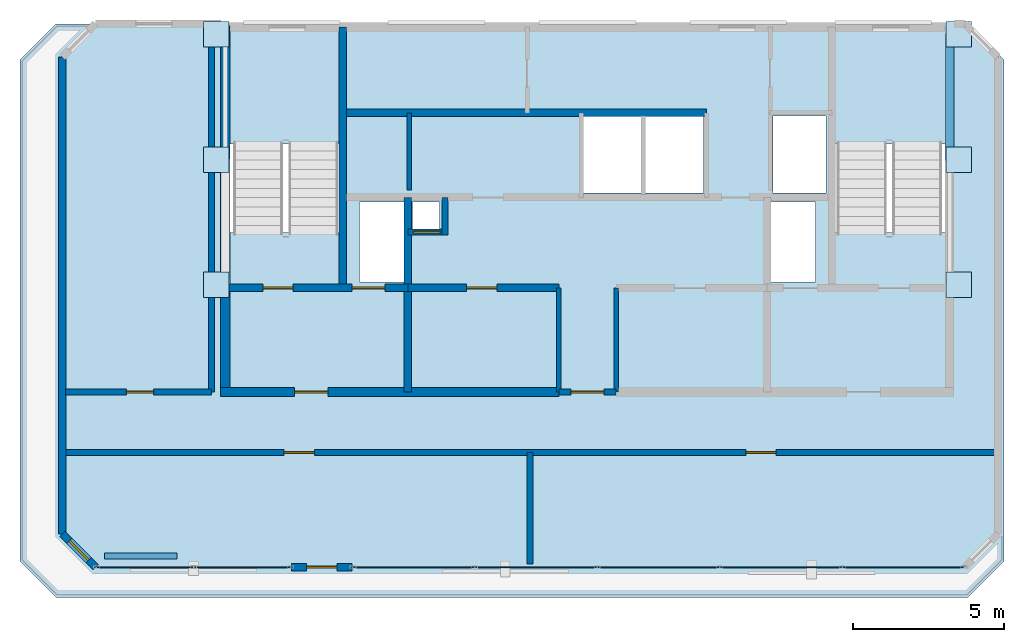
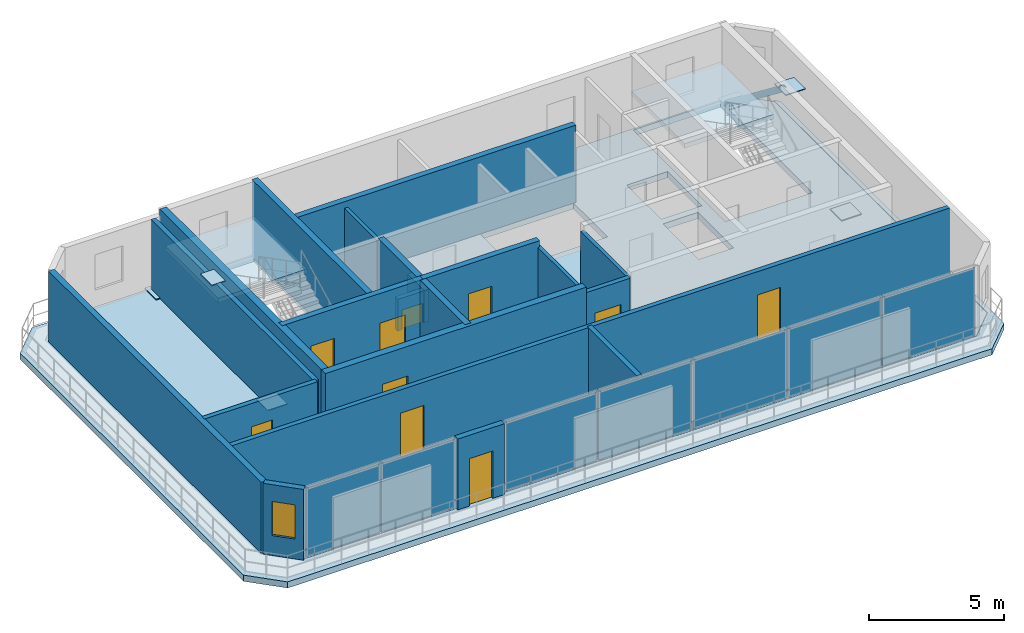
# One storey, part 4 of 6: 21 walls, 13 plates, 10 doors, 4 slabs, 1 member, 1 window, 11 openings, 4 elements without a shape of their own.
"""IFC4 building model written with IfcOpenShell, lengths in metres."""

from ifc_helpers import new_model, si_unit, direction, frame, frame_2d, origin, origin_2d, place, context, subcontext, project, spatial, polyline, rectangle, hollow_circle, outline, extrude, material, layer, layer_set, material_profile, profile_set, type_object, element, fill, aggregate, save


model = new_model("IFC4")

# Units and contexts
model_context = context("Model", 3, precision=1e-05, world=origin(), true_north=direction((0.0, 1.0)))
body_context = subcontext(model_context, "Body", "Model", "MODEL_VIEW")
ifc_project = project(units=[si_unit("LENGTHUNIT", "METRE"), si_unit("AREAUNIT", "SQUARE_METRE"), si_unit("VOLUMEUNIT", "CUBIC_METRE"), si_unit("PLANEANGLEUNIT", "RADIAN"), si_unit("MASSUNIT", "GRAM", prefix="KILO")], contexts=[model_context])

# Site, building, storey
site_placement = place(None, origin())
site = spatial("IfcSite", under=ifc_project, at=site_placement, CompositionType="ELEMENT")
building_placement = place(site_placement, origin())
building = spatial("IfcBuilding", under=site, at=building_placement, Name="Catumbela Crestline Tower", CompositionType="ELEMENT")
storey_placement = place(building_placement, frame((0.0, 0.0, 301.0)))
storey = spatial("IfcBuildingStorey", under=building, at=storey_placement, Name="L77", CompositionType="ELEMENT", Elevation=301.0)

# Member
ifc_material_1 = material(Name="Structural steel S355J2", Category="steel")
ifc_material_profile = material_profile(ifc_material_1, hollow_circle(Radius=0.1365, WallThickness=0.016, at=origin_2d()), Name="CHS 273x16")
ifc_profile_set = profile_set([ifc_material_profile], Name="Structural steel S355J2")
member_type = type_object("IfcMemberType", Name="CB-273", PredefinedType="BRACE", material=ifc_profile_set)
member_placement = place(storey_placement, frame((40.0, 38.5, 3.21), z_axis=(0.0, 0.791914074685, -0.610632539516), x_axis=(-1.0, 0.0, 0.0)))
element("IfcMember", 1, at=member_placement, inside=storey, type_object=member_type, Name="L77 Crown Wind Frame Brace 4", PredefinedType="BRACE", context=body_context, shape_type="SweptSolid", body=[
    extrude(hollow_circle(Radius=0.1365, WallThickness=0.016, at=origin_2d()), origin(), (0.0, 0.0, 1.0), 5.2405),
])

# Plates
ifc_material_2 = material(Name="Structural steel S460M", Category="steel")
ifc_layer_1 = layer(ifc_material_2, 0.04, Name="Structural steel S460M")
ifc_layer_set_1 = layer_set([ifc_layer_1], Name="Structural steel S460M")
plate_type_1 = type_object("IfcPlateType", Name="GP-40", PredefinedType="USERDEFINED", material=ifc_layer_set_1)
for number, where, z_axis, x_axis, name in (
    (2, (15.7, 34.35, 0.01), (0.0, 0.0, 1.0), (1.0, 0.0, 0.0), "L77 Crown Wind Frame Gusset Plate 1A"),
    (3, (15.7, 38.5, 3.17), (0.0, 0.0, 1.0), (1.0, 0.0, 0.0), "L77 Crown Wind Frame Gusset Plate 1B"),
    (4, (15.7, 42.65, 0.01), (0.0, 0.0, 1.0), (1.0, 0.0, 0.0), "L77 Crown Wind Frame Gusset Plate 2B"),
    (5, (40.3, 34.35, 0.01), (0.0, 0.0, 1.0), (1.0, 0.0, 0.0), "L77 Crown Wind Frame Gusset Plate 3A"),
    (6, (40.3, 38.5, 3.17), (0.0, 0.0, 1.0), (1.0, 0.0, 0.0), "L77 Crown Wind Frame Gusset Plate 3B"),
    (7, (40.3, 42.65, 0.01), (0.0, 0.0, 1.0), (1.0, 0.0, 0.0), "L77 Crown Wind Frame Gusset Plate 4B"),
):
    element("IfcPlate", number, at=place(storey_placement, frame(where, z_axis=z_axis, x_axis=x_axis)), inside=storey, type_object=plate_type_1, Name=name, ObjectType="GUSSET", PredefinedType="USERDEFINED", context=body_context, shape_type="SweptSolid", body=[
        extrude(rectangle(XDim=0.85, YDim=0.85, at=origin_2d()), origin(), (0.0, 0.0, 1.0), 0.04),
    ])

# Curtain wall, plates
ifc_material_3 = material(Name="Aluminium alloy AW-6060-T66", Category="aluminium")
ifc_layer_2 = layer(ifc_material_3, 0.18, Name="Aluminium alloy AW-6060-T66")
ifc_layer_set_2 = layer_set([ifc_layer_2], Name="Aluminium alloy AW-6060-T66")
curtain_wall_type = type_object("IfcCurtainWallType", Name="CWS-OBS", PredefinedType="USERDEFINED", material=ifc_layer_set_2)
curtain_wall_1_placement = place(storey_placement, origin())
curtain_wall_1 = element("IfcCurtainWall", 8, at=curtain_wall_1_placement, inside=storey, type_object=curtain_wall_type, Name="L77 Stick Curtain Wall CW-L77-E0S1", ObjectType="STICK", PredefinedType="USERDEFINED")
ifc_material_4 = material(Name="Low-E laminated solar-control double glazing", Category="glass")
ifc_layer_3 = layer(ifc_material_4, 0.036, Name="Low-E laminated solar-control double glazing")
ifc_layer_set_3 = layer_set([ifc_layer_3], Name="Low-E laminated solar-control double glazing")
plate_type_2 = type_object("IfcPlateType", Name="PNL-GLZ-OB", PredefinedType="CURTAIN_PANEL", material=ifc_layer_set_3)
plate_1_placement = place(storey_placement, frame((13.3412, 25.0, 0.06), z_axis=(0.0, 0.0, 1.0), x_axis=(1.0, 0.0, 0.0)))
plate_1 = element("IfcPlate", 9, at=plate_1_placement, type_object=plate_type_2, Name="CWS-OBS panel 1.1", PredefinedType="CURTAIN_PANEL", context=body_context, shape_type="SweptSolid", body=[
    extrude(rectangle(XDim=3.1525, YDim=0.034, at=origin_2d()), origin(), (0.0, 0.0, 1.0), 3.09),
])
plate_2_placement = place(storey_placement, frame((16.5588, 25.0, 0.06), z_axis=(0.0, 0.0, 1.0), x_axis=(1.0, 0.0, 0.0)))
plate_2 = element("IfcPlate", 10, at=plate_2_placement, type_object=plate_type_2, Name="CWS-OBS panel 2.1", PredefinedType="CURTAIN_PANEL", context=body_context, shape_type="SweptSolid", body=[
    extrude(rectangle(XDim=3.1525, YDim=0.034, at=origin_2d()), origin(), (0.0, 0.0, 1.0), 3.09),
])
aggregate(curtain_wall_1, [plate_1, plate_2])

curtain_wall_2_placement = place(storey_placement, origin())
curtain_wall_2 = element("IfcCurtainWall", 11, at=curtain_wall_2_placement, inside=storey, type_object=curtain_wall_type, Name="L77 Stick Curtain Wall CW-L77-E0S2", ObjectType="STICK", PredefinedType="USERDEFINED")
plate_3_placement = place(storey_placement, frame((22.2462, 25.0, 0.06), z_axis=(0.0, 0.0, 1.0), x_axis=(1.0, 0.0, 0.0)))
plate_3 = element("IfcPlate", 12, at=plate_3_placement, type_object=plate_type_2, Name="CWS-OBS panel 1.1", PredefinedType="CURTAIN_PANEL", context=body_context, shape_type="SweptSolid", body=[
    extrude(rectangle(XDim=3.9625, YDim=0.034, at=origin_2d()), origin(), (0.0, 0.0, 1.0), 3.09),
])
plate_4_placement = place(storey_placement, frame((26.29, 25.0, 0.06), z_axis=(0.0, 0.0, 1.0), x_axis=(1.0, 0.0, 0.0)))
plate_4 = element("IfcPlate", 13, at=plate_4_placement, type_object=plate_type_2, Name="CWS-OBS panel 2.1", PredefinedType="CURTAIN_PANEL", context=body_context, shape_type="SweptSolid", body=[
    extrude(rectangle(XDim=3.995, YDim=0.034, at=origin_2d()), origin(), (0.0, 0.0, 1.0), 3.09),
])
plate_5_placement = place(storey_placement, frame((30.35, 25.0, 0.06), z_axis=(0.0, 0.0, 1.0), x_axis=(1.0, 0.0, 0.0)))
plate_5 = element("IfcPlate", 14, at=plate_5_placement, type_object=plate_type_2, Name="CWS-OBS panel 3.1", PredefinedType="CURTAIN_PANEL", context=body_context, shape_type="SweptSolid", body=[
    extrude(rectangle(XDim=3.995, YDim=0.034, at=origin_2d()), origin(), (0.0, 0.0, 1.0), 3.09),
])
plate_6_placement = place(storey_placement, frame((34.41, 25.0, 0.06), z_axis=(0.0, 0.0, 1.0), x_axis=(1.0, 0.0, 0.0)))
plate_6 = element("IfcPlate", 15, at=plate_6_placement, type_object=plate_type_2, Name="CWS-OBS panel 4.1", PredefinedType="CURTAIN_PANEL", context=body_context, shape_type="SweptSolid", body=[
    extrude(rectangle(XDim=3.995, YDim=0.034, at=origin_2d()), origin(), (0.0, 0.0, 1.0), 3.09),
])
plate_7_placement = place(storey_placement, frame((38.4538, 25.0, 0.06), z_axis=(0.0, 0.0, 1.0), x_axis=(1.0, 0.0, 0.0)))
plate_7 = element("IfcPlate", 16, at=plate_7_placement, type_object=plate_type_2, Name="CWS-OBS panel 5.1", PredefinedType="CURTAIN_PANEL", context=body_context, shape_type="SweptSolid", body=[
    extrude(rectangle(XDim=3.9625, YDim=0.034, at=origin_2d()), origin(), (0.0, 0.0, 1.0), 3.09),
])
aggregate(curtain_wall_2, [plate_3, plate_4, plate_5, plate_6, plate_7])

# Slabs
ifc_material_5 = material(Name="Concrete C45/55", Category="concrete")
ifc_layer_4 = layer(ifc_material_5, 0.28, Name="Concrete C45/55")
ifc_layer_set_4 = layer_set([ifc_layer_4], Name="Concrete C45/55")
slab_type_1 = type_object("IfcSlabType", Name="SL-280C", PredefinedType="FLOOR", material=ifc_layer_set_4)
slab_1_placement = place(storey_placement, frame((0.0, 0.0, -0.28)))
element("IfcSlab", 17, at=slab_1_placement, inside=storey, type_object=slab_type_1, Name="L77 Structural Floor Slab", PredefinedType="FLOOR", context=body_context, shape_type="SweptSolid", body=[
    extrude(outline(polyline([(11.7, 25.0), (40.5, 25.0), (41.6, 26.1), (41.6, 41.9), (40.5, 43.0), (11.7, 43.0), (10.6, 41.9), (10.6, 26.1), (11.7, 25.0)]), holes=[polyline([(16.13, 36.08), (19.87, 36.08), (19.87, 42.92), (16.13, 42.92), (16.13, 36.08)]), polyline([(36.13, 36.08), (39.87, 36.08), (39.87, 42.92), (36.13, 42.92), (36.13, 36.08)]), polyline([(27.85, 37.4), (31.85, 37.4), (31.85, 39.95), (27.85, 39.95), (27.85, 37.4)]), polyline([(20.45, 34.45), (21.95, 34.45), (21.95, 37.1), (20.45, 37.1), (20.45, 34.45)]), polyline([(34.05, 34.45), (35.55, 34.45), (35.55, 37.1), (34.05, 37.1), (34.05, 34.45)]), polyline([(34.15, 37.4), (35.9, 37.4), (35.9, 39.95), (34.15, 39.95), (34.15, 37.4)]), polyline([(22.2, 36.2), (23.1, 36.2), (23.1, 37.1), (22.2, 37.1), (22.2, 36.2)])]), origin(), (0.0, 0.0, 1.0), 0.28),
])
ifc_layer_5 = layer(ifc_material_5, 0.28, Name="Concrete C45/55")
ifc_layer_set_5 = layer_set([ifc_layer_5], Name="Concrete C45/55")
slab_type_2 = type_object("IfcSlabType", Name="SR-280C", PredefinedType="ROOF", material=ifc_layer_set_5)
slab_2_placement = place(storey_placement, frame((0.0, 0.0, -0.28)))
element("IfcSlab", 18, at=slab_2_placement, inside=storey, type_object=slab_type_2, Name="L77 Stepped Terrace Cap Roof Slab 1", PredefinedType="ROOF", context=body_context, shape_type="SweptSolid", body=[
    extrude(outline(polyline([(41.61, 41.99), (41.8, 41.8), (41.8, 25.2), (40.6, 24.0), (10.4, 24.0), (9.2, 25.2), (9.2, 41.8), (10.4, 43.0), (11.6859, 43.0), (10.59, 41.9041), (10.59, 26.0959), (11.6959, 24.99), (40.5041, 24.99), (41.61, 26.0959), (41.61, 41.99)])), origin(), (0.0, 0.0, 1.0), 0.28),
])

# Stair, slab
stair_type = type_object("IfcStairType", Name="ST-DLG", PredefinedType="HALF_TURN_STAIR", material=ifc_material_5)
stair_1_placement = place(storey_placement, origin())
stair_1 = element("IfcStair", 19, at=stair_1_placement, inside=storey, type_object=stair_type, Name="L77 West Core Pressurised Exit Stair ST-01", PredefinedType="HALF_TURN_STAIR")
ifc_layer_6 = layer(ifc_material_5, 0.2, Name="Concrete C45/55")
ifc_layer_set_6 = layer_set([ifc_layer_6], Name="Concrete C45/55")
slab_type_3 = type_object("IfcSlabType", Name="SL-LND", PredefinedType="LANDING", material=ifc_layer_set_6)
slab_3_placement = place(storey_placement, frame((0.0, 0.0, 1.55)))
slab_3 = element("IfcSlab", 20, at=slab_3_placement, type_object=slab_type_3, Name="ST-01 landing 1", PredefinedType="LANDING", context=body_context, shape_type="SweptSolid", body=[
    extrude(outline(polyline([(19.91, 39.02), (19.91, 42.96), (16.09, 42.96), (16.09, 39.02), (19.91, 39.02)])), origin(), (0.0, 0.0, 1.0), 0.2),
])
aggregate(stair_1, [slab_3])

stair_2_placement = place(storey_placement, origin())
stair_2 = element("IfcStair", 21, at=stair_2_placement, inside=storey, type_object=stair_type, Name="L77 East Core Pressurised Exit Stair ST-02", PredefinedType="HALF_TURN_STAIR")
slab_4_placement = place(storey_placement, frame((0.0, 0.0, 1.55)))
slab_4 = element("IfcSlab", 22, at=slab_4_placement, type_object=slab_type_3, Name="ST-02 landing 1", PredefinedType="LANDING", context=body_context, shape_type="SweptSolid", body=[
    extrude(outline(polyline([(39.91, 39.02), (39.91, 42.96), (36.09, 42.96), (36.09, 39.02), (39.91, 39.02)])), origin(), (0.0, 0.0, 1.0), 0.2),
])
aggregate(stair_2, [slab_4])

# Walls
ifc_material_6 = material(Name="Concrete C50/60", Category="concrete")
ifc_layer_7 = layer(ifc_material_6, 0.25, Name="Concrete C50/60")
ifc_layer_set_7 = layer_set([ifc_layer_7], Name="Concrete C50/60")
wall_type_1 = type_object("IfcWallType", Name="CW-250D", PredefinedType="SHEAR", material=ifc_layer_set_7)
wall_1_placement = place(storey_placement, frame((19.9, 34.25, 0.0), z_axis=(0.0, 0.0, 1.0), x_axis=(0.0, 1.0, 0.0)))
element("IfcWall", 23, at=wall_1_placement, inside=storey, type_object=wall_type_1, Name="L77 Structural Core Shear Wall WWEB", PredefinedType="SHEAR", context=body_context, shape_type="SweptSolid", body=[
    extrude(rectangle(XDim=8.65, YDim=0.25, at=frame_2d((4.325, 0.0))), origin(), (0.0, 0.0, 1.0), 3.5),
])
wall_2_placement = place(storey_placement, frame((22.05, 30.8, 0.0), z_axis=(0.0, 0.0, 1.0), x_axis=(0.0, 1.0, 0.0)))
element("IfcWall", 24, at=wall_2_placement, inside=storey, type_object=wall_type_1, Name="L77 Structural Core Shear Wall FFW", PredefinedType="SHEAR", context=body_context, shape_type="SweptSolid", body=[
    extrude(rectangle(XDim=6.45, YDim=0.25, at=frame_2d((3.225, 0.0))), origin(), (0.0, 0.0, 1.0), 3.5),
])

# Wall, openings, doors
wall_3_placement = place(storey_placement, frame((16.0, 34.25, 0.0), z_axis=(0.0, 0.0, 1.0), x_axis=(1.0, 0.0, 0.0)))
wall_3 = element("IfcWall", 25, at=wall_3_placement, inside=storey, type_object=wall_type_1, Name="L77 Structural Core Shear Wall ST1S", PredefinedType="SHEAR", context=body_context, shape_type="SweptSolid", body=[
    extrude(rectangle(XDim=6.05, YDim=0.25, at=frame_2d((3.025, 0.0))), origin(), (0.0, 0.0, 1.0), 3.5),
])
opening_1_placement = place(wall_3_placement, frame((1.25, 0.0, 0.0)))
opening_1 = element("IfcOpeningElement", 26, at=opening_1_placement, cuts=wall_3, Name="Opening DF9-100", PredefinedType="OPENING", context=body_context, shape_type="SweptSolid", body=[
    extrude(rectangle(XDim=1.0, YDim=2.15, at=frame_2d((0.5, 1.075))), frame((0.0, 0.135, 0.0), z_axis=(0.0, -1.0, 0.0), x_axis=(1.0, 0.0, 0.0)), (0.0, 0.0, 1.0), 0.27),
])
opening_2_placement = place(wall_3_placement, frame((4.2, 0.0, 0.0)))
opening_2 = element("IfcOpeningElement", 27, at=opening_2_placement, cuts=wall_3, Name="Opening LD-110", PredefinedType="OPENING", context=body_context, shape_type="SweptSolid", body=[
    extrude(rectangle(XDim=1.1, YDim=2.15, at=frame_2d((0.55, 1.075))), frame((0.0, 0.135, 0.0), z_axis=(0.0, -1.0, 0.0), x_axis=(1.0, 0.0, 0.0)), (0.0, 0.0, 1.0), 0.27),
])
ifc_material_7 = material(Name="Stainless steel EN 1.4401", Category="steel")
door_type_1 = type_object("IfcDoorType", Name="DF9-100", OperationType="NOTDEFINED", PredefinedType="DOOR", material=ifc_material_7)
door_1_placement = place(opening_1_placement, origin())
door_1 = element("IfcDoor", 28, at=door_1_placement, inside=storey, type_object=door_type_1, Name="L77 Interior Door DR-L77-ST01", OperationType="SINGLE_SWING_LEFT", OverallHeight=2.15, OverallWidth=1.0, PredefinedType="DOOR", context=body_context, shape_type="SweptSolid", body=[
    extrude(rectangle(XDim=1.0, YDim=2.15, at=frame_2d((0.5, 1.075))), frame((0.0, 0.025, 0.0), z_axis=(0.0, -1.0, 0.0), x_axis=(1.0, 0.0, 0.0)), (0.0, 0.0, 1.0), 0.05),
])
fill(opening_1, door_1)
door_type_2 = type_object("IfcDoorType", Name="LD-110", OperationType="NOTDEFINED", PredefinedType="DOOR", material=ifc_material_7)
door_2_placement = place(opening_2_placement, origin())
door_2 = element("IfcDoor", 29, at=door_2_placement, inside=storey, type_object=door_type_2, Name="L77 Lift Landing Sliding Door FL-01", OperationType="DOUBLE_DOOR_SLIDING", OverallHeight=2.15, OverallWidth=1.1, PredefinedType="DOOR", context=body_context, shape_type="SweptSolid", body=[
    extrude(rectangle(XDim=1.1, YDim=2.15, at=frame_2d((0.55, 1.075))), frame((0.0, 0.025, 0.0), z_axis=(0.0, -1.0, 0.0), x_axis=(1.0, 0.0, 0.0)), (0.0, 0.0, 1.0), 0.05),
])
fill(opening_2, door_2)

# Wall, opening, door
wall_4_placement = place(storey_placement, frame((22.05, 34.25, 0.0), z_axis=(0.0, 0.0, 1.0), x_axis=(1.0, 0.0, 0.0)))
wall_4 = element("IfcWall", 30, at=wall_4_placement, inside=storey, type_object=wall_type_1, Name="L77 Structural Core Shear Wall LIFTS-W", PredefinedType="SHEAR", context=body_context, shape_type="SweptSolid", body=[
    extrude(rectangle(XDim=5.0, YDim=0.25, at=frame_2d((2.5, 0.0))), origin(), (0.0, 0.0, 1.0), 3.5),
])
opening_3_placement = place(wall_4_placement, frame((1.95, 0.0, 0.0)))
opening_3 = element("IfcOpeningElement", 31, at=opening_3_placement, cuts=wall_4, Name="Opening DF9-100", PredefinedType="OPENING", context=body_context, shape_type="SweptSolid", body=[
    extrude(rectangle(XDim=1.0, YDim=2.15, at=frame_2d((0.5, 1.075))), frame((0.0, 0.135, 0.0), z_axis=(0.0, -1.0, 0.0), x_axis=(1.0, 0.0, 0.0)), (0.0, 0.0, 1.0), 0.27),
])
door_3_placement = place(opening_3_placement, origin())
door_3 = element("IfcDoor", 32, at=door_3_placement, inside=storey, type_object=door_type_1, Name="L77 Interior Door DR-L77-RECL1", OperationType="SINGLE_SWING_LEFT", OverallHeight=2.15, OverallWidth=1.0, PredefinedType="DOOR", context=body_context, shape_type="SweptSolid", body=[
    extrude(rectangle(XDim=1.0, YDim=2.15, at=frame_2d((0.5, 1.075))), frame((0.0, 0.025, 0.0), z_axis=(0.0, -1.0, 0.0), x_axis=(1.0, 0.0, 0.0)), (0.0, 0.0, 1.0), 0.05),
])
fill(opening_3, door_3)

# Walls
wall_5_placement = place(storey_placement, frame((19.9, 40.05, 0.0), z_axis=(0.0, 0.0, 1.0), x_axis=(1.0, 0.0, 0.0)))
element("IfcWall", 33, at=wall_5_placement, inside=storey, type_object=wall_type_1, Name="L77 Structural Core Shear Wall COREN", PredefinedType="SHEAR", context=body_context, shape_type="SweptSolid", body=[
    extrude(rectangle(XDim=12.05, YDim=0.25, at=frame_2d((6.025, 0.0))), origin(), (0.0, 0.0, 1.0), 3.5),
])
ifc_layer_8 = layer(ifc_material_5, 0.3, Name="Concrete C45/55")
ifc_layer_set_8 = layer_set([ifc_layer_8], Name="Concrete C45/55")
wall_type_2 = type_object("IfcWallType", Name="CW-300C", PredefinedType="SHEAR", material=ifc_layer_set_8)
wall_6_placement = place(storey_placement, frame((16.0, 30.65, 0.0), z_axis=(0.0, 0.0, 1.0), x_axis=(0.0, 1.0, 0.0)))
element("IfcWall", 34, at=wall_6_placement, inside=storey, type_object=wall_type_2, Name="L77 Structural Core Shear Wall W", PredefinedType="SHEAR", context=body_context, shape_type="SweptSolid", body=[
    extrude(rectangle(XDim=12.3, YDim=0.3, at=frame_2d((6.15, 0.0))), origin(), (0.0, 0.0, 1.0), 3.5),
])

# Wall, opening, door
wall_7_placement = place(storey_placement, frame((15.85, 30.8, 0.0), z_axis=(0.0, 0.0, 1.0), x_axis=(1.0, 0.0, 0.0)))
wall_7 = element("IfcWall", 35, at=wall_7_placement, inside=storey, type_object=wall_type_2, Name="L77 Structural Core Shear Wall SW", PredefinedType="SHEAR", context=body_context, shape_type="SweptSolid", body=[
    extrude(rectangle(XDim=11.2, YDim=0.3, at=frame_2d((5.6, 0.0))), origin(), (0.0, 0.0, 1.0), 3.5),
])
opening_4_placement = place(wall_7_placement, frame((2.45, 0.0, 0.0)))
opening_4 = element("IfcOpeningElement", 36, at=opening_4_placement, cuts=wall_7, Name="Opening DF9-110", PredefinedType="OPENING", context=body_context, shape_type="SweptSolid", body=[
    extrude(rectangle(XDim=1.1, YDim=2.15, at=frame_2d((0.55, 1.075))), frame((0.0, 0.16, 0.0), z_axis=(0.0, -1.0, 0.0), x_axis=(1.0, 0.0, 0.0)), (0.0, 0.0, 1.0), 0.32),
])
door_type_3 = type_object("IfcDoorType", Name="DF9-110", OperationType="NOTDEFINED", PredefinedType="DOOR", material=ifc_material_7)
door_4_placement = place(opening_4_placement, origin())
door_4 = element("IfcDoor", 37, at=door_4_placement, inside=storey, type_object=door_type_3, Name="L77 Interior Door DR-L77-FFW-S", OperationType="SINGLE_SWING_LEFT", OverallHeight=2.15, OverallWidth=1.1, PredefinedType="DOOR", context=body_context, shape_type="SweptSolid", body=[
    extrude(rectangle(XDim=1.1, YDim=2.15, at=frame_2d((0.55, 1.075))), frame((0.0, 0.025, 0.0), z_axis=(0.0, -1.0, 0.0), x_axis=(1.0, 0.0, 0.0)), (0.0, 0.0, 1.0), 0.05),
])
fill(opening_4, door_4)

ifc_material_8 = material(Name="Acoustic gypsum and mineral-wool partition")
ifc_layer_9 = layer(ifc_material_8, 0.2, Name="Acoustic gypsum and mineral-wool partition")
ifc_layer_set_9 = layer_set([ifc_layer_9], Name="Acoustic gypsum and mineral-wool partition")
wall_type_3 = type_object("IfcWallType", Name="WC-200", PredefinedType="PARTITIONING", material=ifc_layer_set_9)
wall_8_placement = place(storey_placement, frame((27.05, 30.8, 0.0), z_axis=(0.0, 0.0, 1.0), x_axis=(1.0, 0.0, 0.0)))
wall_8 = element("IfcWall", 38, at=wall_8_placement, inside=storey, type_object=wall_type_3, Name="L77 Interior Partition PW-L77-CLOBS", PredefinedType="PARTITIONING", context=body_context, shape_type="SweptSolid", body=[
    extrude(rectangle(XDim=1.9, YDim=0.2, at=frame_2d((0.95, 0.0))), origin(), (0.0, 0.0, 1.0), 3.21),
])
opening_5_placement = place(wall_8_placement, frame((0.4, 0.0, 0.0)))
opening_5 = element("IfcOpeningElement", 39, at=opening_5_placement, cuts=wall_8, Name="Opening DF9-110", PredefinedType="OPENING", context=body_context, shape_type="SweptSolid", body=[
    extrude(rectangle(XDim=1.1, YDim=2.15, at=frame_2d((0.55, 1.075))), frame((0.0, 0.11, 0.0), z_axis=(0.0, -1.0, 0.0), x_axis=(1.0, 0.0, 0.0)), (0.0, 0.0, 1.0), 0.22),
])
door_5_placement = place(opening_5_placement, origin())
door_5 = element("IfcDoor", 40, at=door_5_placement, inside=storey, type_object=door_type_3, Name="L77 Interior Door DR-L77-CLOBS", OperationType="SINGLE_SWING_LEFT", OverallHeight=2.15, OverallWidth=1.1, PredefinedType="DOOR", context=body_context, shape_type="SweptSolid", body=[
    extrude(rectangle(XDim=1.1, YDim=2.15, at=frame_2d((0.55, 1.075))), frame((0.0, 0.025, 0.0), z_axis=(0.0, -1.0, 0.0), x_axis=(1.0, 0.0, 0.0)), (0.0, 0.0, 1.0), 0.05),
])
fill(opening_5, door_5)

# Wall, openings, doors
wall_9_placement = place(storey_placement, frame((10.7, 28.8, 0.0), z_axis=(0.0, 0.0, 1.0), x_axis=(1.0, 0.0, 0.0)))
wall_9 = element("IfcWall", 41, at=wall_9_placement, inside=storey, type_object=wall_type_3, Name="L77 Interior Partition PW-L77-CRP1", PredefinedType="PARTITIONING", context=body_context, shape_type="SweptSolid", body=[
    extrude(rectangle(XDim=30.8, YDim=0.2, at=frame_2d((15.4, 0.0))), origin(), (0.0, 0.0, 1.0), 3.21),
])
opening_6_placement = place(wall_9_placement, frame((7.25, 0.0, 0.0)))
opening_6 = element("IfcOpeningElement", 42, at=opening_6_placement, cuts=wall_9, Name="Opening DF9-100", PredefinedType="OPENING", context=body_context, shape_type="SweptSolid", body=[
    extrude(rectangle(XDim=1.0, YDim=2.15, at=frame_2d((0.5, 1.075))), frame((0.0, 0.11, 0.0), z_axis=(0.0, -1.0, 0.0), x_axis=(1.0, 0.0, 0.0)), (0.0, 0.0, 1.0), 0.22),
])
opening_7_placement = place(wall_9_placement, frame((22.55, 0.0, 0.0)))
opening_7 = element("IfcOpeningElement", 43, at=opening_7_placement, cuts=wall_9, Name="Opening DF9-100", PredefinedType="OPENING", context=body_context, shape_type="SweptSolid", body=[
    extrude(rectangle(XDim=1.0, YDim=2.15, at=frame_2d((0.5, 1.075))), frame((0.0, 0.11, 0.0), z_axis=(0.0, -1.0, 0.0), x_axis=(1.0, 0.0, 0.0)), (0.0, 0.0, 1.0), 0.22),
])
door_6_placement = place(opening_6_placement, origin())
door_6 = element("IfcDoor", 44, at=door_6_placement, inside=storey, type_object=door_type_1, Name="L77 Interior Door DR-L77-CRP1", OperationType="SINGLE_SWING_LEFT", OverallHeight=2.15, OverallWidth=1.0, PredefinedType="DOOR", context=body_context, shape_type="SweptSolid", body=[
    extrude(rectangle(XDim=1.0, YDim=2.15, at=frame_2d((0.5, 1.075))), frame((0.0, 0.025, 0.0), z_axis=(0.0, -1.0, 0.0), x_axis=(1.0, 0.0, 0.0)), (0.0, 0.0, 1.0), 0.05),
])
fill(opening_6, door_6)
door_7_placement = place(opening_7_placement, origin())
door_7 = element("IfcDoor", 45, at=door_7_placement, inside=storey, type_object=door_type_1, Name="L77 Interior Door DR-L77-CRP2", OperationType="SINGLE_SWING_RIGHT", OverallHeight=2.15, OverallWidth=1.0, PredefinedType="DOOR", context=body_context, shape_type="SweptSolid", body=[
    extrude(rectangle(XDim=1.0, YDim=2.15, at=frame_2d((0.5, 1.075))), frame((0.0, 0.025, 0.0), z_axis=(0.0, -1.0, 0.0), x_axis=(1.0, 0.0, 0.0)), (0.0, 0.0, 1.0), 0.05),
])
fill(opening_7, door_7)

# Walls
wall_10_placement = place(storey_placement, frame((26.1, 25.1, 0.0), z_axis=(0.0, 0.0, 1.0), x_axis=(0.0, 1.0, 0.0)))
element("IfcWall", 46, at=wall_10_placement, inside=storey, type_object=wall_type_3, Name="L77 Interior Partition PW-L77-CRPM", PredefinedType="PARTITIONING", context=body_context, shape_type="SweptSolid", body=[
    extrude(rectangle(XDim=3.7, YDim=0.2, at=frame_2d((1.85, 0.0))), origin(), (0.0, 0.0, 1.0), 3.21),
])
wall_11_placement = place(storey_placement, frame((15.55, 30.8, 0.0), z_axis=(0.0, 0.0, 1.0), x_axis=(0.0, 1.0, 0.0)))
element("IfcWall", 47, at=wall_11_placement, inside=storey, type_object=wall_type_3, Name="L77 Interior Partition PW-L77-CRNE", PredefinedType="PARTITIONING", context=body_context, shape_type="SweptSolid", body=[
    extrude(rectangle(XDim=12.1, YDim=0.2, at=frame_2d((6.05, 0.0))), origin(), (0.0, 0.0, 1.0), 3.21),
])

# Wall, opening, door
wall_12_placement = place(storey_placement, frame((10.7, 30.8, 0.0), z_axis=(0.0, 0.0, 1.0), x_axis=(1.0, 0.0, 0.0)))
wall_12 = element("IfcWall", 48, at=wall_12_placement, inside=storey, type_object=wall_type_3, Name="L77 Interior Partition PW-L77-CRNW", PredefinedType="PARTITIONING", context=body_context, shape_type="SweptSolid", body=[
    extrude(rectangle(XDim=4.85, YDim=0.2, at=frame_2d((2.425, 0.0))), origin(), (0.0, 0.0, 1.0), 3.21),
])
opening_8_placement = place(wall_12_placement, frame((2.025, 0.0, 0.0)))
opening_8 = element("IfcOpeningElement", 49, at=opening_8_placement, cuts=wall_12, Name="Opening DF9-090", PredefinedType="OPENING", context=body_context, shape_type="SweptSolid", body=[
    extrude(rectangle(XDim=0.9, YDim=2.15, at=frame_2d((0.45, 1.075))), frame((0.0, 0.11, 0.0), z_axis=(0.0, -1.0, 0.0), x_axis=(1.0, 0.0, 0.0)), (0.0, 0.0, 1.0), 0.22),
])
door_type_4 = type_object("IfcDoorType", Name="DF9-090", OperationType="NOTDEFINED", PredefinedType="DOOR", material=ifc_material_7)
door_8_placement = place(opening_8_placement, origin())
door_8 = element("IfcDoor", 50, at=door_8_placement, inside=storey, type_object=door_type_4, Name="L77 Interior Door DR-L77-CRNW", OperationType="SINGLE_SWING_LEFT", OverallHeight=2.15, OverallWidth=0.9, PredefinedType="DOOR", context=body_context, shape_type="SweptSolid", body=[
    extrude(rectangle(XDim=0.9, YDim=2.15, at=frame_2d((0.45, 1.075))), frame((0.0, 0.025, 0.0), z_axis=(0.0, -1.0, 0.0), x_axis=(1.0, 0.0, 0.0)), (0.0, 0.0, 1.0), 0.05),
])
fill(opening_8, door_8)

ifc_material_9 = material(Name="Angolan grey-ochre granite", Category="masonry")
ifc_layer_10 = layer(ifc_material_9, 0.25, Name="Angolan grey-ochre granite")
ifc_layer_set_10 = layer_set([ifc_layer_10], Name="Angolan grey-ochre granite")
wall_type_4 = type_object("IfcWallType", Name="WE-250", PredefinedType="STANDARD", material=ifc_layer_set_10)
wall_13_placement = place(storey_placement, frame((18.2, 25.0, 0.0), z_axis=(0.0, 0.0, 1.0), x_axis=(1.0, 0.0, 0.0)))
wall_13 = element("IfcWall", 51, at=wall_13_placement, inside=storey, type_object=wall_type_4, Name="L77 Exterior Threshold Portal Wall DR-L77-STEP-S1", PredefinedType="STANDARD", context=body_context, shape_type="SweptSolid", body=[
    extrude(rectangle(XDim=2.0, YDim=0.25, at=frame_2d((1.0, 0.0))), origin(), (0.0, 0.0, 1.0), 3.21),
])
opening_9_placement = place(wall_13_placement, frame((0.5, 0.0, 0.0)))
opening_9 = element("IfcOpeningElement", 52, at=opening_9_placement, cuts=wall_13, Name="Opening DT-L77", PredefinedType="OPENING", context=body_context, shape_type="SweptSolid", body=[
    extrude(rectangle(XDim=1.0, YDim=2.15, at=frame_2d((0.5, 1.075))), frame((0.0, 0.135, 0.0), z_axis=(0.0, -1.0, 0.0), x_axis=(1.0, 0.0, 0.0)), (0.0, 0.0, 1.0), 0.27),
])
door_type_5 = type_object("IfcDoorType", Name="DB-1000", OperationType="NOTDEFINED", PredefinedType="DOOR", material=ifc_material_3)
door_9_placement = place(opening_9_placement, origin())
door_9 = element("IfcDoor", 53, at=door_9_placement, inside=storey, type_object=door_type_5, Name="L77 Stepped Terrace Access Door", OperationType="SINGLE_SWING_LEFT", OverallHeight=2.15, OverallWidth=1.0, PredefinedType="DOOR", context=body_context, shape_type="SweptSolid", body=[
    extrude(rectangle(XDim=1.0, YDim=2.15, at=frame_2d((0.5, 1.075))), frame((0.0, 0.025, 0.0), z_axis=(0.0, -1.0, 0.0), x_axis=(1.0, 0.0, 0.0)), (0.0, 0.0, 1.0), 0.05),
])
fill(opening_9, door_9)

# Wall
wall_14_placement = place(storey_placement, frame((10.6, 41.9, 0.0), z_axis=(0.0, 0.0, 1.0), x_axis=(0.0, -1.0, 0.0)))
element("IfcWall", 54, at=wall_14_placement, inside=storey, type_object=wall_type_4, Name="L77 Granite Punched Window Wall 6-1", PredefinedType="STANDARD", context=body_context, shape_type="SweptSolid", body=[
    extrude(rectangle(XDim=15.8, YDim=0.25, at=frame_2d((7.9, 0.0))), origin(), (0.0, 0.0, 1.0), 3.21),
])

# Wall, opening, window
wall_15_placement = place(storey_placement, frame((10.6, 26.1, 0.0), z_axis=(0.0, 0.0, 1.0), x_axis=(0.707106781187, -0.707106781187, 0.0)))
wall_15 = element("IfcWall", 55, at=wall_15_placement, inside=storey, type_object=wall_type_4, Name="L77 Granite Punched Window Wall 7-1", PredefinedType="STANDARD", context=body_context, shape_type="SweptSolid", body=[
    extrude(rectangle(XDim=1.5556, YDim=0.25, at=frame_2d((0.7778, 0.0))), origin(), (0.0, 0.0, 1.0), 3.21),
])
opening_10_placement = place(wall_15_placement, frame((0.3278, 0.0, 0.9)))
opening_10 = element("IfcOpeningElement", 56, at=opening_10_placement, cuts=wall_15, Name="Opening WN-03", PredefinedType="OPENING", context=body_context, shape_type="SweptSolid", body=[
    extrude(rectangle(XDim=0.9, YDim=1.55, at=frame_2d((0.45, 0.775))), frame((0.0, 0.135, 0.0), z_axis=(0.0, -1.0, 0.0), x_axis=(1.0, 0.0, 0.0)), (0.0, 0.0, 1.0), 0.27),
])
window_type = type_object("IfcWindowType", Name="WO-0900", PartitioningType="SINGLE_PANEL", PredefinedType="WINDOW", material=ifc_material_4)
window_placement = place(opening_10_placement, origin())
window = element("IfcWindow", 57, at=window_placement, inside=storey, type_object=window_type, Name="L77 Facade Vision Window 634", OverallHeight=1.55, OverallWidth=0.9, PartitioningType="SINGLE_PANEL", PredefinedType="WINDOW", context=body_context, shape_type="SweptSolid", body=[
    extrude(rectangle(XDim=0.9, YDim=1.55, at=frame_2d((0.45, 0.775))), frame((0.0, 0.03, 0.0), z_axis=(0.0, -1.0, 0.0), x_axis=(1.0, 0.0, 0.0)), (0.0, 0.0, 1.0), 0.06),
])
fill(opening_10, window)

# Wall, opening, door
ifc_material_10 = material(Name="Concrete C40/50", Category="concrete")
ifc_layer_11 = layer(ifc_material_10, 0.2, Name="Concrete C40/50")
ifc_layer_set_11 = layer_set([ifc_layer_11], Name="Concrete C40/50")
wall_type_5 = type_object("IfcWallType", Name="WK-200", PredefinedType="PARAPET", material=ifc_layer_set_11)
wall_16_placement = place(storey_placement, frame((22.05, 36.1, 0.0), z_axis=(0.0, 0.0, 1.0), x_axis=(1.0, 0.0, 0.0)))
wall_16 = element("IfcWall", 58, at=wall_16_placement, inside=storey, type_object=wall_type_5, Name="L77 Overrun Maintenance Access Bulkhead", PredefinedType="PARAPET", context=body_context, shape_type="SweptSolid", body=[
    extrude(rectangle(XDim=1.33, YDim=0.2, at=frame_2d((0.665, 0.0))), origin(), (0.0, 0.0, 1.0), 1.45),
])
opening_11_placement = place(wall_16_placement, frame((0.18, 0.0, 0.0)))
opening_11 = element("IfcOpeningElement", 59, at=opening_11_placement, cuts=wall_16, Name="Opening DH-01", PredefinedType="OPENING", context=body_context, shape_type="SweptSolid", body=[
    extrude(rectangle(XDim=0.9, YDim=0.9, at=frame_2d((0.45, 0.45))), frame((0.0, 0.11, 0.0), z_axis=(0.0, -1.0, 0.0), x_axis=(1.0, 0.0, 0.0)), (0.0, 0.0, 1.0), 0.22),
])
door_type_6 = type_object("IfcDoorType", Name="DH-0900", OperationType="NOTDEFINED", PredefinedType="TRAPDOOR", material=ifc_material_7)
door_10_placement = place(opening_11_placement, origin())
door_10 = element("IfcDoor", 60, at=door_10_placement, inside=storey, type_object=door_type_6, Name="L77 Maintenance Access Trapdoor 1", OperationType="SINGLE_SWING_LEFT", OverallHeight=0.9, OverallWidth=0.9, PredefinedType="TRAPDOOR", context=body_context, shape_type="SweptSolid", body=[
    extrude(rectangle(XDim=0.9, YDim=0.9, at=frame_2d((0.45, 0.45))), frame((0.0, 0.025, 0.0), z_axis=(0.0, -1.0, 0.0), x_axis=(1.0, 0.0, 0.0)), (0.0, 0.0, 1.0), 0.05),
])
fill(opening_11, door_10)

# Walls
wall_17_placement = place(storey_placement, frame((23.28, 36.0, 0.0), z_axis=(0.0, 0.0, 1.0), x_axis=(0.0, 1.0, 0.0)))
element("IfcWall", 61, at=wall_17_placement, inside=storey, type_object=wall_type_5, Name="L77 Overrun Maintenance Access East Kerb", PredefinedType="PARAPET", context=body_context, shape_type="SweptSolid", body=[
    extrude(rectangle(XDim=1.25, YDim=0.2, at=frame_2d((0.625, 0.0))), origin(), (0.0, 0.0, 1.0), 1.45),
])
ifc_layer_12 = layer(ifc_material_10, 0.2, Name="Concrete C40/50")
ifc_layer_set_12 = layer_set([ifc_layer_12], Name="Concrete C40/50")
wall_type_6 = type_object("IfcWallType", Name="WP-200", PredefinedType="PARAPET", material=ifc_layer_set_12)
wall_18_placement = place(storey_placement, frame((12.0, 25.36, 0.0), z_axis=(0.0, 0.0, 1.0), x_axis=(1.0, 0.0, 0.0)))
element("IfcWall", 62, at=wall_18_placement, inside=storey, type_object=wall_type_6, Name="L77 Crown Terrace Parapet Upstand 1", PredefinedType="PARAPET", context=body_context, shape_type="SweptSolid", body=[
    extrude(rectangle(XDim=2.4, YDim=0.2, at=frame_2d((1.2, 0.0))), origin(), (0.0, 0.0, 1.0), 1.1),
])
ifc_layer_13 = layer(ifc_material_8, 0.15, Name="Acoustic gypsum and mineral-wool partition")
ifc_layer_set_13 = layer_set([ifc_layer_13], Name="Acoustic gypsum and mineral-wool partition")
wall_type_7 = type_object("IfcWallType", Name="WS-150", PredefinedType="PLUMBINGWALL", material=ifc_layer_set_13)
for number, where, z_axis, x_axis, name in (
    (63, (27.05, 30.8, 0.0), (0.0, 0.0, 1.0), (0.0, 1.0, 0.0), "L77 Interior Partition PW-L77-THRW"),
    (64, (28.95, 30.8, 0.0), (0.0, 0.0, 1.0), (0.0, 1.0, 0.0), "L77 Interior Partition PW-L77-THRE"),
):
    element("IfcWall", number, at=place(storey_placement, frame(where, z_axis=z_axis, x_axis=x_axis)), inside=storey, type_object=wall_type_7, Name=name, PredefinedType="PLUMBINGWALL", context=body_context, shape_type="SweptSolid", body=[
        extrude(rectangle(XDim=3.45, YDim=0.15, at=frame_2d((1.725, 0.0))), origin(), (0.0, 0.0, 1.0), 3.21),
    ])
wall_19_placement = place(storey_placement, frame((22.1, 37.4897, 0.0), z_axis=(0.0, 0.0, 1.0), x_axis=(0.0, 1.0, 0.0)))
element("IfcWall", 65, at=wall_19_placement, inside=storey, type_object=wall_type_7, Name="L77 Interior Partition PW-L77-SHH0", PredefinedType="PLUMBINGWALL", context=body_context, shape_type="SweptSolid", body=[
    extrude(rectangle(XDim=2.5603, YDim=0.15, at=frame_2d((1.2801, 0.0))), origin(), (0.0, 0.0, 1.0), 3.21),
])

save(model, "model.ifc")
